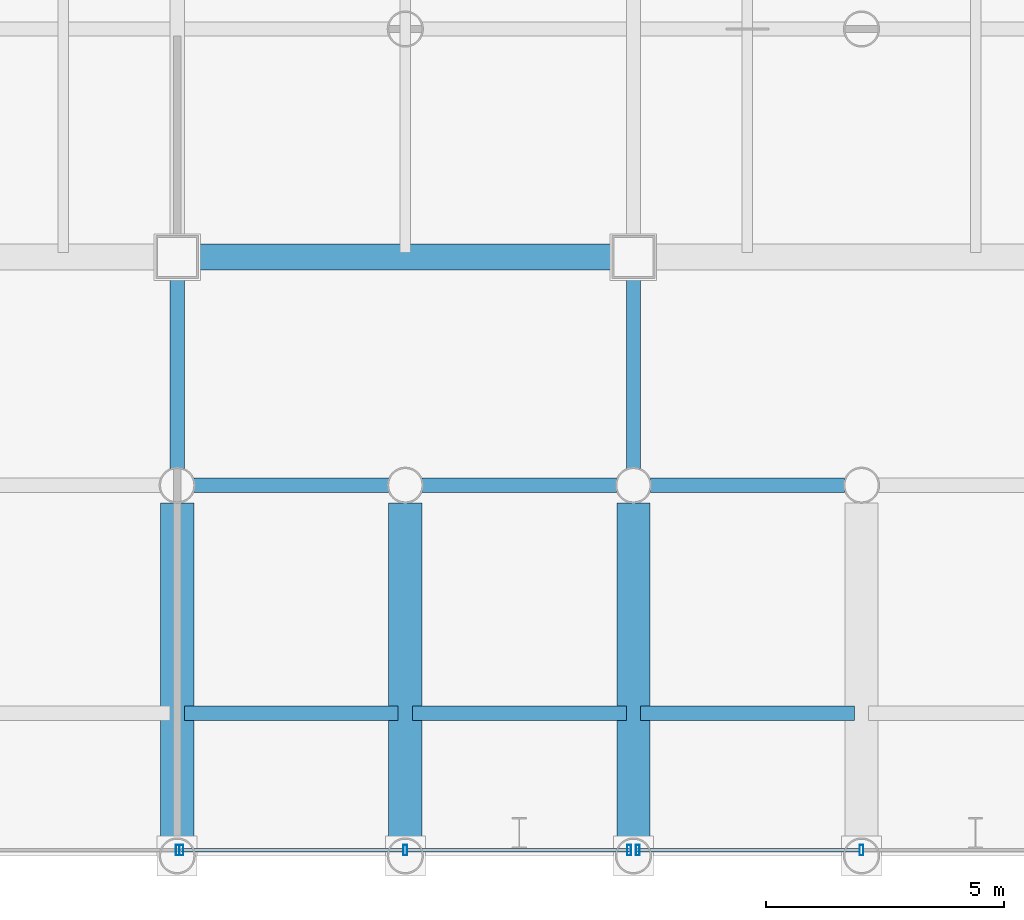
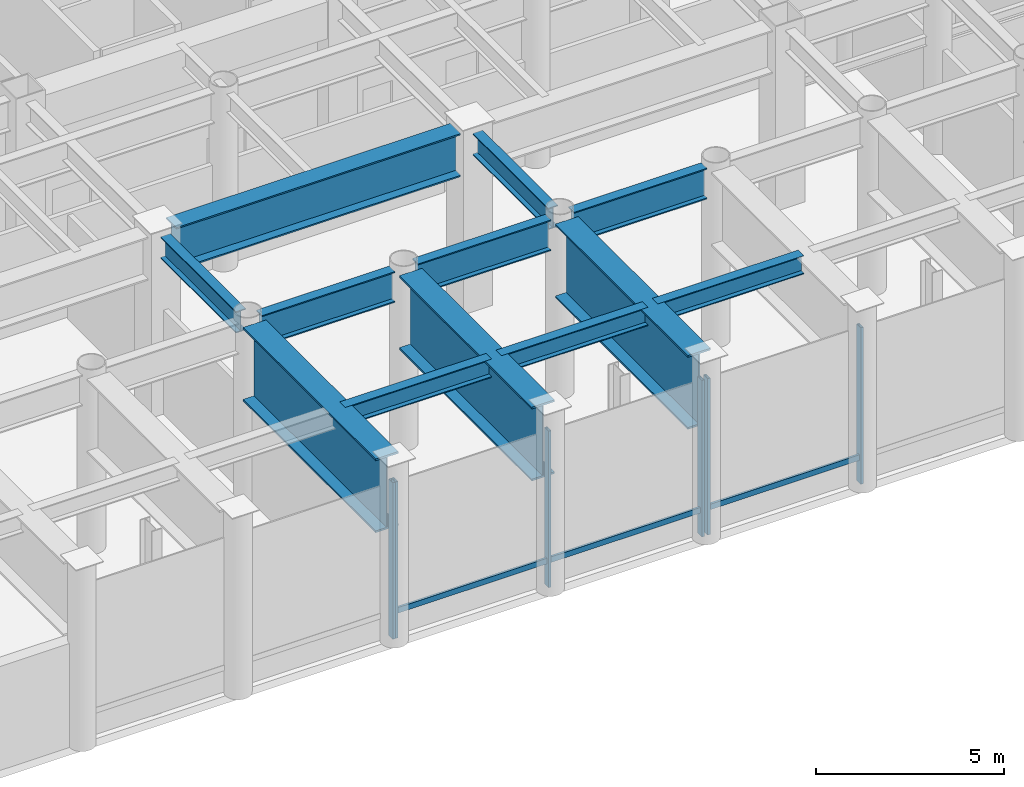
# One storey, part 7 of 26: 12 beams, 9 members, 3 elements without a shape of their own.
"""IFC4 building model written with IfcOpenShell, lengths in metres."""

from ifc_helpers import new_model, si_unit, direction, frame, origin, origin_2d, place, context, subcontext, project, spatial, hollow_rectangle, i_section, extrude, material, layer, layer_set, material_profile, profile_set, type_object, element, aggregate, save


model = new_model("IFC4")

# Units and contexts
model_context = context("Model", 3, precision=1e-05, world=origin(), true_north=direction((0.0, 1.0)))
body_context = subcontext(model_context, "Body", "Model", "MODEL_VIEW")
ifc_project = project(units=[si_unit("LENGTHUNIT", "METRE"), si_unit("AREAUNIT", "SQUARE_METRE"), si_unit("VOLUMEUNIT", "CUBIC_METRE"), si_unit("PLANEANGLEUNIT", "RADIAN"), si_unit("MASSUNIT", "GRAM", prefix="KILO")], contexts=[model_context])

# Site, building, storey
site_placement = place(None, origin())
site = spatial("IfcSite", under=ifc_project, at=site_placement, CompositionType="ELEMENT")
building_placement = place(site_placement, origin())
building = spatial("IfcBuilding", under=site, at=building_placement, Name="Kallvorn Hotel Tower", CompositionType="ELEMENT")
storey_placement = place(building_placement, frame((0.0, 0.0, 6.0)))
storey = spatial("IfcBuildingStorey", under=building, at=storey_placement, Name="L01", CompositionType="ELEMENT", Elevation=6.0)

# Beams
ifc_material_1 = material(Name="Structural steel S355JR", Category="steel")
ifc_material_profile_1 = material_profile(ifc_material_1, i_section(OverallWidth=0.300048828125, OverallDepth=1.0, WebThickness=0.01904296875, FlangeThickness=0.035888671875, at=origin_2d()), Name="HE 1000 B")
ifc_profile_set_1 = profile_set([ifc_material_profile_1], Name="Structural steel S355JR")
beam_type_1 = type_object("IfcBeamType", Name="BM_HE1000B", PredefinedType="BEAM", material=ifc_profile_set_1)
for number, where, z_axis, x_axis, name in (
    (1, (-4.444091796875, -19.199951171875, 5.280029296875), (1.0, 0.0, 0.0), (0.0, 1.0, 0.0), "L02 Primary X-Girder 51"),
    (2, (0.35595703125, -19.199951171875, 5.280029296875), (1.0, 0.0, 0.0), (0.0, 1.0, 0.0), "L02 Primary X-Girder 52"),
):
    element("IfcBeam", number, at=place(storey_placement, frame(where, z_axis=z_axis, x_axis=x_axis)), inside=storey, type_object=beam_type_1, Name=name, PredefinedType="BEAM", context=body_context, shape_type="SweptSolid", body=[
        extrude(i_section(OverallWidth=0.300048828125, OverallDepth=1.0, WebThickness=0.01904296875, FlangeThickness=0.035888671875, at=origin_2d()), origin(), (0.0, 0.0, 1.0), 4.088134765625),
    ])
beam_1_placement = place(storey_placement, frame((5.156005859375, -19.199951171875, 5.280029296875), z_axis=(1.0, 0.0, 0.0), x_axis=(0.0, 1.0, 0.0)))
element("IfcBeam", 3, at=beam_1_placement, inside=storey, type_object=beam_type_1, Name="L02 Primary X-Girder 53", PredefinedType="BEAM", context=body_context, shape_type="SweptSolid", body=[
    extrude(i_section(OverallWidth=0.300048828125, OverallDepth=1.0, WebThickness=0.01904296875, FlangeThickness=0.035888671875, at=origin_2d()), origin(), (0.0, 0.0, 1.0), 4.087890625),
])
ifc_material_2 = material(Name="Structural steel S355JR", Category="steel")
ifc_material_profile_2 = material_profile(ifc_material_2, i_section(OverallWidth=0.300048828125, OverallDepth=0.60009765625, WebThickness=0.015380859375, FlangeThickness=0.030029296875, at=origin_2d()), Name="HE 600 B")
ifc_profile_set_2 = profile_set([ifc_material_profile_2], Name="Structural steel S355JR")
beam_type_2 = type_object("IfcBeamType", Name="BM_HE600B", PredefinedType="SPANDREL", material=ifc_profile_set_2)
for number, where, z_axis, x_axis, name in (
    (4, (-4.64990234375, -24.0, 5.47998046875), (1.0, 0.0, 0.0), (0.0, 1.0, 0.0), "L02 Perimeter Spandrel 221"),
    (5, (0.14990234375, -24.0, 5.47998046875), (1.0, 0.0, 0.0), (0.0, 1.0, 0.0), "L02 Perimeter Spandrel 222"),
    (6, (4.949951171875, -24.0, 5.47998046875), (1.0, 0.0, 0.0), (0.0, 1.0, 0.0), "L02 Perimeter Spandrel 223"),
):
    element("IfcBeam", number, at=place(storey_placement, frame(where, z_axis=z_axis, x_axis=x_axis)), inside=storey, type_object=beam_type_2, Name=name, PredefinedType="SPANDREL", context=body_context, shape_type="SweptSolid", body=[
        extrude(i_section(OverallWidth=0.300048828125, OverallDepth=0.60009765625, WebThickness=0.015380859375, FlangeThickness=0.030029296875, at=origin_2d()), origin(), (0.0, 0.0, 1.0), 4.5),
    ])
ifc_material_3 = material(Name="Structural steel S355JR", Category="steel")
ifc_material_profile_3 = material_profile(ifc_material_3, i_section(OverallWidth=0.300048828125, OverallDepth=0.699951171875, WebThickness=0.01708984375, FlangeThickness=0.031982421875, at=origin_2d()), Name="HE 700 B")
ifc_profile_set_3 = profile_set([ifc_material_profile_3], Name="Structural steel S355JR")
beam_type_3 = type_object("IfcBeamType", Name="BM_HE700B", PredefinedType="BEAM", material=ifc_profile_set_3)
for number, where, z_axis, x_axis, name in (
    (7, (-4.800048828125, -18.843994140625, 5.429931640625), (0.0, 1.0, 0.0), (-1.0, 0.0, 0.0), "L02 Primary Y-Girder 163"),
    (8, (4.800048828125, -18.843994140625, 5.429931640625), (0.0, 1.0, 0.0), (-1.0, 0.0, 0.0), "L02 Primary Y-Girder 173"),
):
    element("IfcBeam", number, at=place(storey_placement, frame(where, z_axis=z_axis, x_axis=x_axis)), inside=storey, type_object=beam_type_3, Name=name, PredefinedType="BEAM", context=body_context, shape_type="SweptSolid", body=[
        extrude(i_section(OverallWidth=0.300048828125, OverallDepth=0.699951171875, WebThickness=0.01708984375, FlangeThickness=0.031982421875, at=origin_2d()), origin(), (0.0, 0.0, 1.0), 4.01904296875),
    ])
ifc_material_4 = material(Name="Structural steel S355JR", Category="steel")
ifc_material_profile_4 = material_profile(ifc_material_4, i_section(OverallWidth=0.550048828125, OverallDepth=1.39990234375, WebThickness=0.02490234375, FlangeThickness=0.044921875, at=origin_2d()), Name="PG 1400x550x25x45")
ifc_profile_set_4 = profile_set([ifc_material_profile_4], Name="Structural steel S355JR")
beam_type_4 = type_object("IfcBeamType", Name="BM_PG_1400", PredefinedType="BEAM", material=ifc_profile_set_4)
beam_2_placement = place(storey_placement, frame((-4.375, -14.39990234375, 5.080078125), z_axis=(1.0, 0.0, 0.0), x_axis=(0.0, 1.0, 0.0)))
element("IfcBeam", 9, at=beam_2_placement, inside=storey, type_object=beam_type_4, Name="L02 Primary X-Girder 64", PredefinedType="BEAM", context=body_context, shape_type="SweptSolid", body=[
    extrude(i_section(OverallWidth=0.550048828125, OverallDepth=1.39990234375, WebThickness=0.02490234375, FlangeThickness=0.044921875, at=origin_2d()), origin(), (0.0, 0.0, 1.0), 8.75),
])
ifc_material_5 = material(Name="Structural steel S355JR", Category="steel")
ifc_material_profile_5 = material_profile(ifc_material_5, i_section(OverallWidth=0.699951171875, OverallDepth=2.39990234375, WebThickness=0.031982421875, FlangeThickness=0.06005859375, at=origin_2d()), Name="PG 2400x700x32x60")
ifc_profile_set_5 = profile_set([ifc_material_profile_5], Name="Structural steel S355JR")
beam_type_5 = type_object("IfcBeamType", Name="BM_PG_2400", PredefinedType="BEAM", material=ifc_profile_set_5)
for number, where, z_axis, x_axis, name in (
    (10, (-4.800048828125, -26.62890625, 4.580078125), (0.0, 1.0, 0.0), (-1.0, 0.0, 0.0), "L02 Setback Transfer Girder 20"),
    (11, (0.0, -26.62890625, 4.580078125), (0.0, 1.0, 0.0), (-1.0, 0.0, 0.0), "L02 Setback Transfer Girder 22"),
    (12, (4.800048828125, -26.62890625, 4.580078125), (0.0, 1.0, 0.0), (-1.0, 0.0, 0.0), "L02 Setback Transfer Girder 24"),
):
    element("IfcBeam", number, at=place(storey_placement, frame(where, z_axis=z_axis, x_axis=x_axis)), inside=storey, type_object=beam_type_5, Name=name, PredefinedType="BEAM", context=body_context, shape_type="SweptSolid", body=[
        extrude(i_section(OverallWidth=0.699951171875, OverallDepth=2.39990234375, WebThickness=0.031982421875, FlangeThickness=0.06005859375, at=origin_2d()), origin(), (0.0, 0.0, 1.0), 7.057861328125),
    ])

# Curtain wall, member
ifc_material_6 = material(Name="Thermally broken black-anodised aluminium AA 6063-T6", Category="aluminium")
ifc_layer = layer(ifc_material_6, 0.239990234375)
ifc_layer_set = layer_set([ifc_layer], Name="CW_SYS_1_PODIUM_LOW")
curtain_wall_type = type_object("IfcCurtainWallType", Name="CW_SYS_1_PODIUM_LOW", PredefinedType="USERDEFINED", material=ifc_layer_set)
curtain_wall_1_placement = place(storey_placement, origin())
curtain_wall_1 = element("IfcCurtainWall", 13, at=curtain_wall_1_placement, inside=storey, type_object=curtain_wall_type, Name="L01 Dark-Glass Curtain Wall CW-L01-S1", ObjectType="UNITISED CURTAIN WALL", PredefinedType="USERDEFINED")
ifc_material_7 = material(Name="Thermally broken black-anodised aluminium AA 6063-T6", Category="aluminium")
ifc_material_profile_6 = material_profile(ifc_material_7, hollow_rectangle(XDim=0.080078125, YDim=0.219970703125, WallThickness=0.0048828125, at=origin_2d()), Name="MUL 220x80")
ifc_profile_set_6 = profile_set([ifc_material_profile_6], Name="Thermally broken black-anodised aluminium AA 6063-T6")
member_type_1 = type_object("IfcMemberType", Name="CW_MULLION_220x80", PredefinedType="MULLION", material=ifc_profile_set_6)
member_1_placement = place(storey_placement, frame((-4.7900390625, -26.8798828125, 0.02001953125), z_axis=(0.0, 0.0, 1.0), x_axis=(1.0, 0.0, 0.0)))
member_1 = element("IfcMember", 14, at=member_1_placement, type_object=member_type_1, Name="CW-L01-S1 Mullion 02", PredefinedType="MULLION", context=body_context, shape_type="SweptSolid", body=[
    extrude(hollow_rectangle(XDim=0.080078125, YDim=0.219970703125, WallThickness=0.0048828125, at=origin_2d()), origin(), (0.0, 0.0, 1.0), 5.090087890625),
])
aggregate(curtain_wall_1, [member_1])

# Curtain wall, members
curtain_wall_2_placement = place(storey_placement, origin())
curtain_wall_2 = element("IfcCurtainWall", 15, at=curtain_wall_2_placement, inside=storey, type_object=curtain_wall_type, Name="L01 Dark-Glass Curtain Wall CW-L01-S2", ObjectType="UNITISED CURTAIN WALL", PredefinedType="USERDEFINED")
member_2_placement = place(storey_placement, frame((-4.7099609375, -26.8798828125, 0.02001953125), z_axis=(0.0, 0.0, 1.0), x_axis=(1.0, 0.0, 0.0)))
member_2 = element("IfcMember", 16, at=member_2_placement, type_object=member_type_1, Name="CW-L01-S2 Mullion 00", PredefinedType="MULLION", context=body_context, shape_type="SweptSolid", body=[
    extrude(hollow_rectangle(XDim=0.080078125, YDim=0.219970703125, WallThickness=0.0048828125, at=origin_2d()), origin(), (0.0, 0.0, 1.0), 5.090087890625),
])
member_3_placement = place(storey_placement, frame((0.0, -26.8798828125, 0.02001953125), z_axis=(0.0, 0.0, 1.0), x_axis=(1.0, 0.0, 0.0)))
member_3 = element("IfcMember", 17, at=member_3_placement, type_object=member_type_1, Name="CW-L01-S2 Mullion 01", PredefinedType="MULLION", context=body_context, shape_type="SweptSolid", body=[
    extrude(hollow_rectangle(XDim=0.080078125, YDim=0.219970703125, WallThickness=0.0048828125, at=origin_2d()), origin(), (0.0, 0.0, 1.0), 5.090087890625),
])
member_4_placement = place(storey_placement, frame((4.7099609375, -26.8798828125, 0.02001953125), z_axis=(0.0, 0.0, 1.0), x_axis=(1.0, 0.0, 0.0)))
member_4 = element("IfcMember", 18, at=member_4_placement, type_object=member_type_1, Name="CW-L01-S2 Mullion 02", PredefinedType="MULLION", context=body_context, shape_type="SweptSolid", body=[
    extrude(hollow_rectangle(XDim=0.080078125, YDim=0.219970703125, WallThickness=0.0048828125, at=origin_2d()), origin(), (0.0, 0.0, 1.0), 5.090087890625),
])

curtain_wall_3_placement = place(storey_placement, origin())
curtain_wall_3 = element("IfcCurtainWall", 19, at=curtain_wall_3_placement, inside=storey, type_object=curtain_wall_type, Name="L01 Dark-Glass Curtain Wall CW-L01-S3", ObjectType="UNITISED CURTAIN WALL", PredefinedType="USERDEFINED")
member_5_placement = place(storey_placement, frame((4.889892578125, -26.8798828125, 0.02001953125), z_axis=(0.0, 0.0, 1.0), x_axis=(1.0, 0.0, 0.0)))
member_5 = element("IfcMember", 20, at=member_5_placement, type_object=member_type_1, Name="CW-L01-S3 Mullion 00", PredefinedType="MULLION", context=body_context, shape_type="SweptSolid", body=[
    extrude(hollow_rectangle(XDim=0.080078125, YDim=0.219970703125, WallThickness=0.0048828125, at=origin_2d()), origin(), (0.0, 0.0, 1.0), 5.090087890625),
])
member_6_placement = place(storey_placement, frame((9.60009765625, -26.8798828125, 0.02001953125), z_axis=(0.0, 0.0, 1.0), x_axis=(1.0, 0.0, 0.0)))
member_6 = element("IfcMember", 21, at=member_6_placement, type_object=member_type_1, Name="CW-L01-S3 Mullion 01", PredefinedType="MULLION", context=body_context, shape_type="SweptSolid", body=[
    extrude(hollow_rectangle(XDim=0.080078125, YDim=0.219970703125, WallThickness=0.0048828125, at=origin_2d()), origin(), (0.0, 0.0, 1.0), 5.090087890625),
])

# Member
ifc_material_8 = material(Name="Thermally broken black-anodised aluminium AA 6063-T6", Category="aluminium")
ifc_material_profile_7 = material_profile(ifc_material_8, hollow_rectangle(XDim=0.070068359375, YDim=0.179931640625, WallThickness=0.00390625, at=origin_2d()), Name="TRN 180x70")
ifc_profile_set_7 = profile_set([ifc_material_profile_7], Name="Thermally broken black-anodised aluminium AA 6063-T6")
member_type_2 = type_object("IfcMemberType", Name="CW_TRANSOM_180x70", PredefinedType="USERDEFINED", material=ifc_profile_set_7)
member_7_placement = place(storey_placement, frame((-4.7099609375, -26.8798828125, 0.85009765625), z_axis=(1.0, 0.0, 0.0), x_axis=(0.0, 1.0, 0.0)))
member_7 = element("IfcMember", 22, at=member_7_placement, type_object=member_type_2, Name="CW-L01-S2 Transom 00M", ObjectType="TRANSOM", PredefinedType="USERDEFINED", context=body_context, shape_type="SweptSolid", body=[
    extrude(hollow_rectangle(XDim=0.070068359375, YDim=0.179931640625, WallThickness=0.00390625, at=origin_2d()), origin(), (0.0, 0.0, 1.0), 4.669921875),
])

member_8_placement = place(storey_placement, frame((0.0400390625, -26.8798828125, 0.85009765625), z_axis=(1.0, 0.0, 0.0), x_axis=(0.0, 1.0, 0.0)))
member_8 = element("IfcMember", 23, at=member_8_placement, type_object=member_type_2, Name="CW-L01-S2 Transom 01M", ObjectType="TRANSOM", PredefinedType="USERDEFINED", context=body_context, shape_type="SweptSolid", body=[
    extrude(hollow_rectangle(XDim=0.070068359375, YDim=0.179931640625, WallThickness=0.00390625, at=origin_2d()), origin(), (0.0, 0.0, 1.0), 4.669921875),
])

aggregate(curtain_wall_2, [member_2, member_3, member_4, member_7, member_8])

member_9_placement = place(storey_placement, frame((4.889892578125, -26.8798828125, 0.85009765625), z_axis=(1.0, 0.0, 0.0), x_axis=(0.0, 1.0, 0.0)))
member_9 = element("IfcMember", 24, at=member_9_placement, type_object=member_type_2, Name="CW-L01-S3 Transom 00M", ObjectType="TRANSOM", PredefinedType="USERDEFINED", context=body_context, shape_type="SweptSolid", body=[
    extrude(hollow_rectangle(XDim=0.070068359375, YDim=0.179931640625, WallThickness=0.00390625, at=origin_2d()), origin(), (0.0, 0.0, 1.0), 4.670166015625),
])

aggregate(curtain_wall_3, [member_5, member_6, member_9])

save(model, "model.ifc")
